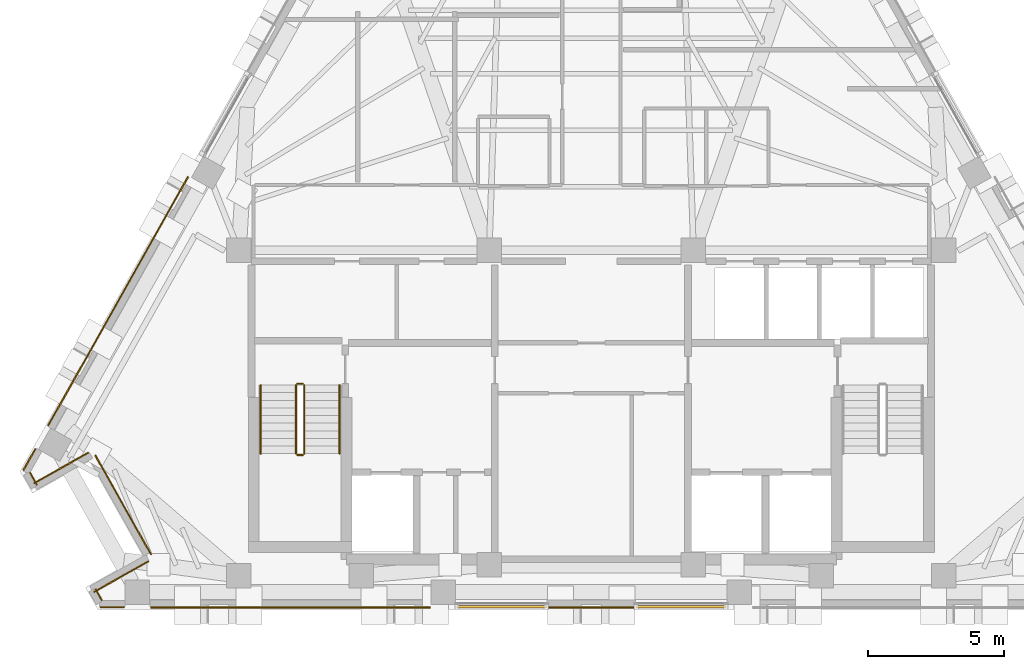
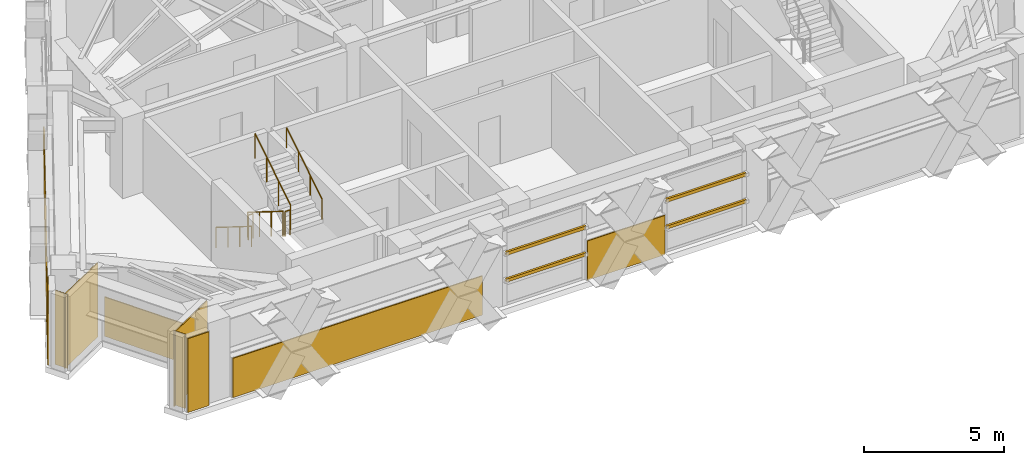
# One storey, part 11 of 13: 10 coverings, 6 railings, 4 shading devices.
"""IFC4 building model written with IfcOpenShell, lengths in metres."""

import ifcopenshell
import ifcopenshell.guid

model = None  # the IFC model being written
_history = None  # IfcOwnerHistory: only IFC2X3 demands one
_inside = {}  # id of a spatial element -> (the spatial element, [elements in it])
_under = {}  # id of a project, library or spatial element -> (it, [spatial elements below it])
_declared = {}  # id of a project -> (the project, [libraries it declares])
_typed = {}  # id of a type object -> (the type object, [elements of that type])
_made_of = {}  # id of a material, layer set ... -> (it, [elements and type objects made of it])


def new_model(schema):
    """Start an empty IFC model of exactly this schema.

    Asked for "IFC4X3", IfcOpenShell would pick the latest addendum, in which some entities
    have other attributes; the version numbers below select the first issue.
    IFC2X3 requires an IfcOwnerHistory on every rooted entity: one is made here for all.
    """
    global model, _history
    if schema == "IFC4X3":
        model = ifcopenshell.file(schema_version=(4, 3, 0, 0))
    else:
        model = ifcopenshell.file(schema=schema)
    _inside.clear()
    _under.clear()
    _declared.clear()
    _typed.clear()
    _made_of.clear()
    _history = None
    if model.schema == "IFC2X3":
        org = make("IfcOrganization", Name="unknown")
        user = make(
            "IfcPersonAndOrganization",
            ThePerson=make("IfcPerson", FamilyName="unknown"),
            TheOrganization=org,
        )
        app = make(
            "IfcApplication",
            ApplicationDeveloper=org,
            Version="unknown",
            ApplicationFullName="unknown",
            ApplicationIdentifier="unknown",
        )
        _history = make(
            "IfcOwnerHistory",
            OwningUser=user,
            OwningApplication=app,
            ChangeAction="ADDED",
            CreationDate=0,
        )
    return model


def make(cls, **values):
    """One entity of the class cls with the attributes given. An attribute that is None is left unset."""
    return model.create_entity(
        cls, **{name: value for name, value in values.items() if value is not None}
    )


def rooted(cls, **values):
    """An entity with a GlobalId (a new one), such as an element, a storey or a relation."""
    return make(cls, GlobalId=ifcopenshell.guid.new(), OwnerHistory=_history, **values)


def si_unit(unit_type, name, prefix=None):
    """IfcSIUnit, for example si_unit("LENGTHUNIT", "METRE", prefix="MILLI")."""
    return make("IfcSIUnit", UnitType=unit_type, Prefix=prefix, Name=name)


def assignment(units):
    """IfcUnitAssignment: the units of a project."""
    return None if units is None else make("IfcUnitAssignment", Units=units)


def point(xyz):
    """IfcCartesianPoint."""
    return None if xyz is None else make("IfcCartesianPoint", Coordinates=xyz)


def direction(xyz):
    """IfcDirection."""
    return None if xyz is None else make("IfcDirection", DirectionRatios=xyz)


def frame(location, z_axis=None, x_axis=None):
    """IfcAxis2Placement3D, a coordinate frame: its origin and axes. An axis left out is left unset."""
    return make(
        "IfcAxis2Placement3D",
        Location=point(location),
        Axis=direction(z_axis),
        RefDirection=direction(x_axis),
    )


def frame_2d(location, x_axis=None):
    """IfcAxis2Placement2D, a coordinate frame in the plane: its origin and x axis."""
    return make(
        "IfcAxis2Placement2D", Location=point(location), RefDirection=direction(x_axis)
    )


def origin():
    """The frame at (0, 0, 0) with its axes left unset."""
    return frame((0.0, 0.0, 0.0))


def origin_2d():
    """The frame at (0, 0) in the plane with its x axis left unset."""
    return frame_2d((0.0, 0.0))


def place(relative_to, where):
    """IfcLocalPlacement: puts the frame where relative to a parent placement (None: the world)."""
    return make(
        "IfcLocalPlacement", PlacementRelTo=relative_to, RelativePlacement=where
    )


def context(
    kind, dimensions, precision=None, world=None, true_north=None, identifier=None
):
    """IfcGeometricRepresentationContext, for example the 3D "Model" context."""
    return make(
        "IfcGeometricRepresentationContext",
        ContextIdentifier=identifier,
        ContextType=kind,
        CoordinateSpaceDimension=dimensions,
        Precision=precision,
        WorldCoordinateSystem=world,
        TrueNorth=true_north,
    )


def subcontext(parent, identifier, kind, view, scale=None):
    """IfcGeometricRepresentationSubContext, for example "Body" below "Model"."""
    return make(
        "IfcGeometricRepresentationSubContext",
        ContextIdentifier=identifier,
        ContextType=kind,
        ParentContext=parent,
        TargetScale=scale,
        TargetView=view,
    )


def project(units=None, contexts=None):
    """IfcProject with its units and contexts."""
    return rooted(
        "IfcProject",
        Name="project",
        RepresentationContexts=contexts,
        UnitsInContext=assignment(units),
    )


def spatial(cls, under=None, at=None, **own):
    """A site, building, storey or space (cls), placed at a placement, below another one or the project."""
    s = rooted(cls, ObjectPlacement=at, **own)
    if under is not None:
        _under.setdefault(under.id(), (under, []))[1].append(s)
    return s


def polyline(points):
    """IfcPolyline through the points."""
    return make("IfcPolyline", Points=[point(p) for p in points])


def profile(cls, at=None, kind="AREA", **sizes):
    """A parametric profile (cls). Its sizes go by their IFC names, for example OverallWidth=200.0."""
    return make(cls, ProfileType=kind, Position=at, **sizes)


def rectangle(**sizes):
    """IfcRectangleProfileDef."""
    return profile("IfcRectangleProfileDef", **sizes)


def circle(**sizes):
    """IfcCircleProfileDef."""
    return profile("IfcCircleProfileDef", **sizes)


def outline(outer, holes=None, kind="AREA"):
    """IfcArbitraryClosedProfileDef: a profile drawn as a closed curve; with holes, ...WithVoids."""
    if holes is None:
        return make("IfcArbitraryClosedProfileDef", ProfileType=kind, OuterCurve=outer)
    return make(
        "IfcArbitraryProfileDefWithVoids",
        ProfileType=kind,
        OuterCurve=outer,
        InnerCurves=holes,
    )


def extrude(swept, where, along, depth):
    """IfcExtrudedAreaSolid: the profile swept, set in the frame where, extruded along a direction by depth."""
    return make(
        "IfcExtrudedAreaSolid",
        SweptArea=swept,
        Position=where,
        ExtrudedDirection=direction(along),
        Depth=depth,
    )


def shape(context_of_items, identifier, shape_type, items):
    """IfcShapeRepresentation: the items that make up one representation, for example the "Body"."""
    return make(
        "IfcShapeRepresentation",
        ContextOfItems=context_of_items,
        RepresentationIdentifier=identifier,
        RepresentationType=shape_type,
        Items=items,
    )


def material(Name=None, Category=None):
    """IfcMaterial."""
    return make("IfcMaterial", Name=Name, Category=Category)


def layer(
    of_material, thickness, ventilated=None, Name=None, Category=None, Priority=None
):
    """IfcMaterialLayer: one layer of a wall or slab, of a material (None: an air gap)."""
    return make(
        "IfcMaterialLayer",
        Material=of_material,
        LayerThickness=thickness,
        IsVentilated=ventilated,
        Name=Name,
        Category=Category,
        Priority=Priority,
    )


def layer_set(layers, Name=None):
    """IfcMaterialLayerSet."""
    return make("IfcMaterialLayerSet", MaterialLayers=layers, LayerSetName=Name)


def material_profile(
    of_material, cross_section, Name=None, Category=None, Priority=None
):
    """IfcMaterialProfile: a cross section and its material."""
    return make(
        "IfcMaterialProfile",
        Name=Name,
        Material=of_material,
        Profile=cross_section,
        Priority=Priority,
        Category=Category,
    )


def profile_set(profiles, Name=None, composite=None):
    """IfcMaterialProfileSet."""
    return make(
        "IfcMaterialProfileSet",
        Name=Name,
        MaterialProfiles=profiles,
        CompositeProfile=composite,
    )


def made_of(thing, what):
    """Note that an element or type object is made of a material, layer set ...; save() writes the relation."""
    if what is not None:
        _made_of.setdefault(what.id(), (what, []))[1].append(thing)
    return thing


def type_object(cls, material=None, **own):
    """A type object (cls), such as IfcWallType, which elements share."""
    return made_of(rooted(cls, **own), material)


def element(
    cls,
    number,
    at=None,
    inside=None,
    cuts=None,
    type_object=None,
    material=None,
    context=None,
    identifier="Body",
    shape_type=None,
    held_by="IfcProductDefinitionShape",
    body=None,
    shapes=None,
    **own,
):
    """One element of the class cls, such as IfcWall. Its Tag is "e" and its number.

    at: its placement. inside: the storey or other place that contains it. cuts: it is an
    opening in that element (IfcRelVoidsElement). A single representation is given by context,
    identifier, shape_type and body (its items); several are given by shapes. held_by: the class
    of the entity that holds the representations. save() writes the other relations.
    """
    e = rooted(cls, Tag="e%d" % number, ObjectPlacement=at, **own)
    if body is not None:
        shapes = [shape(context, identifier, shape_type, body)]
    if shapes is not None:
        e.Representation = make(held_by, Representations=shapes)
    if inside is not None:
        _inside.setdefault(inside.id(), (inside, []))[1].append(e)
    if cuts is not None:
        rooted(
            "IfcRelVoidsElement", RelatingBuildingElement=cuts, RelatedOpeningElement=e
        )
    if type_object is not None:
        _typed.setdefault(type_object.id(), (type_object, []))[1].append(e)
    return made_of(e, material)


def aggregate(whole, parts):
    """IfcRelAggregates: a whole, such as a stair, and the parts it consists of."""
    return rooted("IfcRelAggregates", RelatingObject=whole, RelatedObjects=parts)


def save(model, path):
    """Write the relations noted so far, then the file.

    IfcRelAggregates (storeys below a building ...), IfcRelContainedInSpatialStructure (elements
    in a storey), IfcRelDefinesByType, IfcRelAssociatesMaterial and IfcRelDeclares: one each for
    every whole, place, type object, material and project.
    """
    for whole, parts in _under.values():
        aggregate(whole, parts)
    for where, things in _inside.values():
        rooted(
            "IfcRelContainedInSpatialStructure",
            RelatedElements=things,
            RelatingStructure=where,
        )
    for kind, things in _typed.values():
        rooted("IfcRelDefinesByType", RelatedObjects=things, RelatingType=kind)
    for what, things in _made_of.values():
        rooted("IfcRelAssociatesMaterial", RelatedObjects=things, RelatingMaterial=what)
    for by, libraries in _declared.values():
        rooted("IfcRelDeclares", RelatingContext=by, RelatedDefinitions=libraries)
    model.write(path)


model = new_model("IFC4")

# Units and contexts
model_context = context("Model", 3, precision=1e-05, world=origin(), true_north=direction((0.0, 1.0)))
body_context = subcontext(model_context, "Body", "Model", "MODEL_VIEW")
ifc_project = project(units=[si_unit("LENGTHUNIT", "METRE"), si_unit("AREAUNIT", "SQUARE_METRE"), si_unit("VOLUMEUNIT", "CUBIC_METRE"), si_unit("PLANEANGLEUNIT", "RADIAN"), si_unit("MASSUNIT", "GRAM", prefix="KILO")], contexts=[model_context])

# Site, building, storey
site_placement = place(None, origin())
site = spatial("IfcSite", under=ifc_project, at=site_placement, CompositionType="ELEMENT")
building_placement = place(site_placement, origin())
building = spatial("IfcBuilding", under=site, at=building_placement, Name="Quenlor Broadcast Tower", CompositionType="ELEMENT")
storey_placement = place(building_placement, frame((0.0, 0.0, 225.39990234375)))
storey = spatial("IfcBuildingStorey", under=building, at=storey_placement, Name="L62", CompositionType="ELEMENT", Elevation=225.39990234375)

# Shading devices
ifc_material_1 = material(Name="Architectural Terracotta Ceramic", Category="masonry")
ifc_material_profile = material_profile(ifc_material_1, rectangle(XDim=0.090087890625, YDim=0.139892578125, at=origin_2d()))
ifc_profile_set = profile_set([ifc_material_profile], Name="Architectural Terracotta Ceramic BAG90x140")
shading_device_type = type_object("IfcShadingDeviceType", Name="Copper Terracotta Baguette Solar Screen 140", PredefinedType="USERDEFINED", material=ifc_profile_set)
for number, where, z_axis, x_axis, name in (
    (1, (4.933837890625, -17.89794921875, 1.170166015625), (-1.0, 0.0, 0.0), (0.0, -1.0, 0.0), "L62 Terracotta Baguette Screen 1"),
    (2, (4.933837890625, -17.89794921875, 2.340087890625), (-1.0, 0.0, 0.0), (0.0, -1.0, 0.0), "L62 Terracotta Baguette Screen 2"),
    (3, (-1.655029296875, -17.89794921875, 1.170166015625), (-1.0, 0.0, 0.0), (0.0, -1.0, 0.0), "L62 Terracotta Baguette Screen 1"),
    (4, (-1.655029296875, -17.89794921875, 2.340087890625), (-1.0, 0.0, 0.0), (0.0, -1.0, 0.0), "L62 Terracotta Baguette Screen 2"),
):
    element("IfcShadingDevice", number, at=place(storey_placement, frame(where, z_axis=z_axis, x_axis=x_axis)), inside=storey, type_object=shading_device_type, Name=name, ObjectType="BAGUETTE", PredefinedType="USERDEFINED", context=body_context, shape_type="SweptSolid", body=[
        extrude(rectangle(XDim=0.090087890625, YDim=0.139892578125, at=origin_2d()), origin(), (0.0, 0.0, 1.0), 3.27880859375),
    ])

# Coverings
ifc_material_2 = material(Name="Architectural Terracotta Ceramic", Category="masonry")
ifc_layer = layer(ifc_material_2, 0.044921875)
ifc_layer_set = layer_set([ifc_layer], Name="Fluted Terracotta Rainscreen Cladding Panel")
covering_type = type_object("IfcCoveringType", Name="Fluted Terracotta Rainscreen Cladding Panel", PredefinedType="CLADDING", material=ifc_layer_set)
covering_1_placement = place(storey_placement, frame((0.0, 0.0, 0.02001953125)))
element("IfcCovering", 5, at=covering_1_placement, inside=storey, type_object=covering_type, Name="L62 Terracotta Rainscreen Cladding L62-SHD-SS1", PredefinedType="CLADDING", context=body_context, shape_type="SweptSolid", body=[
    extrude(outline(polyline([(-17.160888671875, -17.886962890625), (-18.035888671875, -17.886962890625), (-18.035888671875, -17.931884765625), (-17.160888671875, -17.931884765625), (-17.160888671875, -17.886962890625)])), origin(), (0.0, 0.0, 1.0), 3.2099609375),
])
covering_2_placement = place(storey_placement, frame((0.0, 0.0, 0.02001953125)))
element("IfcCovering", 6, at=covering_2_placement, inside=storey, type_object=covering_type, Name="L62 Terracotta Rainscreen Cladding L62-EW-SC", PredefinedType="CLADDING", context=body_context, shape_type="SweptSolid", body=[
    extrude(outline(polyline([(-5.9228515625, -17.89697265625), (-16.19091796875, -17.89697265625), (-16.19091796875, -17.94189453125), (-5.9228515625, -17.94189453125), (-5.9228515625, -17.89697265625)])), origin(), (0.0, 0.0, 1.0), 1.7099609375),
])
covering_3_placement = place(storey_placement, frame((0.0, 0.0, 0.02001953125)))
element("IfcCovering", 7, at=covering_3_placement, inside=storey, type_object=covering_type, Name="L62 Terracotta Rainscreen Cladding L62-S-SP1", PredefinedType="CLADDING", context=body_context, shape_type="SweptSolid", body=[
    extrude(outline(polyline([(1.591064453125, -17.89697265625), (-1.591064453125, -17.89697265625), (-1.591064453125, -17.94189453125), (1.591064453125, -17.94189453125), (1.591064453125, -17.89697265625)])), origin(), (0.0, 0.0, 1.0), 1.7099609375),
])
covering_4_placement = place(storey_placement, frame((0.0, 0.0, 0.02001953125)))
element("IfcCovering", 8, at=covering_4_placement, inside=storey, type_object=covering_type, Name="L62 Terracotta Rainscreen Cladding L62-SHD-NWS0", PredefinedType="CLADDING", context=body_context, shape_type="SweptSolid", body=[
    extrude(outline(polyline([(-20.845458984375, -12.888916015625), (-20.402099609375, -12.10107421875), (-20.44140625, -12.0791015625), (-20.884521484375, -12.866943359375), (-20.845458984375, -12.888916015625)])), origin(), (0.0, 0.0, 1.0), 3.2099609375),
])
covering_5_placement = place(storey_placement, frame((0.0, 0.0, 0.02001953125)))
element("IfcCovering", 9, at=covering_5_placement, inside=storey, type_object=covering_type, Name="L62 Terracotta Rainscreen Cladding L62-EW-NWA", PredefinedType="CLADDING", context=body_context, shape_type="SweptSolid", body=[
    extrude(outline(polyline([(-19.935302734375, -11.250732421875), (-14.7919921875, -2.106689453125), (-14.831298828125, -2.084716796875), (-19.974609375, -11.228759765625), (-19.935302734375, -11.250732421875)])), origin(), (0.0, 0.0, 1.0), 1.7099609375),
])
covering_6_placement = place(storey_placement, frame((0.0, 0.0, 0.02001953125)))
element("IfcCovering", 10, at=covering_6_placement, inside=storey, type_object=covering_type, Name="L62 Terracotta Rainscreen Cladding L62-CNR-12", PredefinedType="CLADDING", context=body_context, shape_type="SweptSolid", body=[
    extrude(outline(polyline([(-20.64306640625, -12.970458984375), (-20.38623046875, -13.427001953125), (-20.346923828125, -13.405029296875), (-20.60400390625, -12.948486328125), (-20.64306640625, -12.970458984375)])), origin(), (0.0, 0.0, 1.0), 3.2099609375),
])
covering_7_placement = place(storey_placement, frame((0.0, 0.0, 0.02001953125)))
element("IfcCovering", 11, at=covering_7_placement, inside=storey, type_object=covering_type, Name="L62 Terracotta Rainscreen Cladding L62-CNR-13", PredefinedType="CLADDING", context=body_context, shape_type="SweptSolid", body=[
    extrude(outline(polyline([(-20.462890625, -13.376220703125), (-18.45849609375, -12.248779296875), (-18.48046875, -12.20947265625), (-20.485107421875, -13.337158203125), (-20.462890625, -13.376220703125)])), origin(), (0.0, 0.0, 1.0), 3.2099609375),
])
covering_8_placement = place(storey_placement, frame((0.0, 0.0, 0.02001953125)))
element("IfcCovering", 12, at=covering_8_placement, inside=storey, type_object=covering_type, Name="L62 Terracotta Rainscreen Cladding L62-CNR-14", PredefinedType="CLADDING", context=body_context, shape_type="SweptSolid", body=[
    extrude(outline(polyline([(-18.245361328125, -12.337646484375), (-16.19140625, -15.9892578125), (-16.152099609375, -15.96728515625), (-18.206298828125, -12.315673828125), (-18.245361328125, -12.337646484375)])), origin(), (0.0, 0.0, 1.0), 1.7099609375),
])
covering_9_placement = place(storey_placement, frame((0.0, 0.0, 0.02001953125)))
element("IfcCovering", 13, at=covering_9_placement, inside=storey, type_object=covering_type, Name="L62 Terracotta Rainscreen Cladding L62-CNR-15", PredefinedType="CLADDING", context=body_context, shape_type="SweptSolid", body=[
    extrude(outline(polyline([(-16.2802734375, -16.2021484375), (-18.284912109375, -17.329833984375), (-18.262939453125, -17.368896484375), (-16.25830078125, -16.241455078125), (-16.2802734375, -16.2021484375)])), origin(), (0.0, 0.0, 1.0), 3.2099609375),
])
covering_10_placement = place(storey_placement, frame((0.0, 0.0, 0.02001953125)))
element("IfcCovering", 14, at=covering_10_placement, inside=storey, type_object=covering_type, Name="L62 Terracotta Rainscreen Cladding L62-CNR-16", PredefinedType="CLADDING", context=body_context, shape_type="SweptSolid", body=[
    extrude(outline(polyline([(-18.234130859375, -17.2529296875), (-17.99853515625, -17.671875), (-17.959228515625, -17.64990234375), (-18.19482421875, -17.23095703125), (-18.234130859375, -17.2529296875)])), origin(), (0.0, 0.0, 1.0), 3.2099609375),
])

# Railings
ifc_material_3 = material(Name="Anodised Aluminium", Category="aluminium")
railing_type_1 = type_object("IfcRailingType", Name="Stainless Aluminium Wall Handrail 900", PredefinedType="HANDRAIL", material=ifc_material_3)
railing_1_placement = place(storey_placement, frame((-12.14990234375, -9.75, 0.175048828125)))
element("IfcRailing", 15, at=railing_1_placement, inside=storey, type_object=railing_type_1, Name="L62 ST-1 stair handrail 1", PredefinedType="HANDRAIL", context=body_context, shape_type="SweptSolid", body=[
    extrude(circle(Radius=0.02392578125, at=origin_2d()), frame((0.0, 0.0, 0.8759765625), z_axis=(0.0, -0.848007534815, 0.529984170421), x_axis=(1.0, 0.0, 0.0)), (0.0, 0.0, 1.0), 2.9716796875),
    extrude(circle(Radius=0.02099609375, at=origin_2d()), origin(), (0.0, 0.0, 1.0), 0.851806640625),
    extrude(circle(Radius=0.02099609375, at=origin_2d()), frame((0.0, -0.840087890625, 0.52490234375)), (0.0, 0.0, 1.0), 0.851806640625),
    extrude(circle(Radius=0.02099609375, at=origin_2d()), frame((0.0, -1.679931640625, 1.050048828125)), (0.0, 0.0, 1.0), 0.851806640625),
    extrude(circle(Radius=0.02099609375, at=origin_2d()), frame((0.0, -2.52001953125, 1.574951171875)), (0.0, 0.0, 1.0), 0.851806640625),
])
railing_2_placement = place(storey_placement, frame((-9.25, -12.27001953125, 1.925048828125)))
element("IfcRailing", 16, at=railing_2_placement, inside=storey, type_object=railing_type_1, Name="L62 ST-1 stair handrail 2", PredefinedType="HANDRAIL", context=body_context, shape_type="SweptSolid", body=[
    extrude(circle(Radius=0.02392578125, at=origin_2d()), frame((0.0, 0.0, 0.8759765625), z_axis=(0.0, 0.848007534815, 0.529984170421), x_axis=(-1.0, 0.0, 0.0)), (0.0, 0.0, 1.0), 2.9716796875),
    extrude(circle(Radius=0.02099609375, at=origin_2d()), origin(), (0.0, 0.0, 1.0), 0.851806640625),
    extrude(circle(Radius=0.02099609375, at=origin_2d()), frame((0.0, 0.840087890625, 0.52490234375)), (0.0, 0.0, 1.0), 0.851806640625),
    extrude(circle(Radius=0.02099609375, at=origin_2d()), frame((0.0, 1.679931640625, 1.050048828125)), (0.0, 0.0, 1.0), 0.851806640625),
    extrude(circle(Radius=0.02099609375, at=origin_2d()), frame((0.0, 2.52001953125, 1.574951171875)), (0.0, 0.0, 1.0), 0.851806640625),
])
ifc_material_4 = material(Name="Steel S355", Category="steel")
railing_type_2 = type_object("IfcRailingType", Name="Tubular Steel S355 Stair Guardrail 1100", PredefinedType="BALUSTRADE", material=ifc_material_4)
railing_3_placement = place(storey_placement, frame((-10.85009765625, -9.75, 0.175048828125)))
element("IfcRailing", 17, at=railing_3_placement, inside=storey, type_object=railing_type_2, Name="L62 ST-1 stair guard 1", PredefinedType="BALUSTRADE", context=body_context, shape_type="SweptSolid", body=[
    extrude(circle(Radius=0.02392578125, at=origin_2d()), frame((0.0, 0.0, 1.076171875), z_axis=(0.0, -0.848007534815, 0.529984170421), x_axis=(1.0, 0.0, 0.0)), (0.0, 0.0, 1.0), 2.9716796875),
    extrude(circle(Radius=0.02099609375, at=origin_2d()), origin(), (0.0, 0.0, 1.0), 1.052001953125),
    extrude(circle(Radius=0.02099609375, at=origin_2d()), frame((0.0, -0.840087890625, 0.52490234375)), (0.0, 0.0, 1.0), 1.052001953125),
    extrude(circle(Radius=0.02099609375, at=origin_2d()), frame((0.0, -1.679931640625, 1.050048828125)), (0.0, 0.0, 1.0), 1.052001953125),
    extrude(circle(Radius=0.02099609375, at=origin_2d()), frame((0.0, -2.52001953125, 1.574951171875)), (0.0, 0.0, 1.0), 1.052001953125),
])
railing_4_placement = place(storey_placement, frame((-10.800048828125, -12.320068359375, 1.75)))
element("IfcRailing", 18, at=railing_4_placement, inside=storey, type_object=railing_type_2, Name="L62 ST-1 stair guard 2", PredefinedType="BALUSTRADE", context=body_context, shape_type="SweptSolid", body=[
    extrude(circle(Radius=0.02392578125, at=origin_2d()), frame((0.0, 0.0, 1.076171875), z_axis=(1.0, 0.0, 0.0), x_axis=(0.0, 1.0, 0.0)), (0.0, 0.0, 1.0), 0.199951171875),
    extrude(circle(Radius=0.02099609375, at=origin_2d()), origin(), (0.0, 0.0, 1.0), 1.052001953125),
    extrude(circle(Radius=0.02099609375, at=origin_2d()), frame((0.199951171875, 0.0, 0.0)), (0.0, 0.0, 1.0), 1.052001953125),
])
railing_5_placement = place(storey_placement, frame((-10.550048828125, -12.27001953125, 1.925048828125)))
element("IfcRailing", 19, at=railing_5_placement, inside=storey, type_object=railing_type_2, Name="L62 ST-1 stair guard 3", PredefinedType="BALUSTRADE", context=body_context, shape_type="SweptSolid", body=[
    extrude(circle(Radius=0.02392578125, at=origin_2d()), frame((0.0, 0.0, 1.076171875), z_axis=(0.0, 0.848007534815, 0.529984170421), x_axis=(-1.0, 0.0, 0.0)), (0.0, 0.0, 1.0), 2.9716796875),
    extrude(circle(Radius=0.02099609375, at=origin_2d()), origin(), (0.0, 0.0, 1.0), 1.052001953125),
    extrude(circle(Radius=0.02099609375, at=origin_2d()), frame((0.0, 0.840087890625, 0.52490234375)), (0.0, 0.0, 1.0), 1.052001953125),
    extrude(circle(Radius=0.02099609375, at=origin_2d()), frame((0.0, 1.679931640625, 1.050048828125)), (0.0, 0.0, 1.0), 1.052001953125),
    extrude(circle(Radius=0.02099609375, at=origin_2d()), frame((0.0, 2.52001953125, 1.574951171875)), (0.0, 0.0, 1.0), 1.052001953125),
])
railing_6_placement = place(storey_placement, frame((-10.800048828125, -9.699951171875, 0.0)))
element("IfcRailing", 20, at=railing_6_placement, inside=storey, type_object=railing_type_2, Name="L62 ST-1 stair guard 4", PredefinedType="BALUSTRADE", context=body_context, shape_type="SweptSolid", body=[
    extrude(circle(Radius=0.02392578125, at=origin_2d()), frame((0.0, 0.0, 1.076171875), z_axis=(1.0, 0.0, 0.0), x_axis=(0.0, 1.0, 0.0)), (0.0, 0.0, 1.0), 0.199951171875),
    extrude(circle(Radius=0.02099609375, at=origin_2d()), origin(), (0.0, 0.0, 1.0), 1.052001953125),
    extrude(circle(Radius=0.02099609375, at=origin_2d()), frame((0.199951171875, 0.0, 0.0)), (0.0, 0.0, 1.0), 1.052001953125),
])

save(model, "model.ifc")
